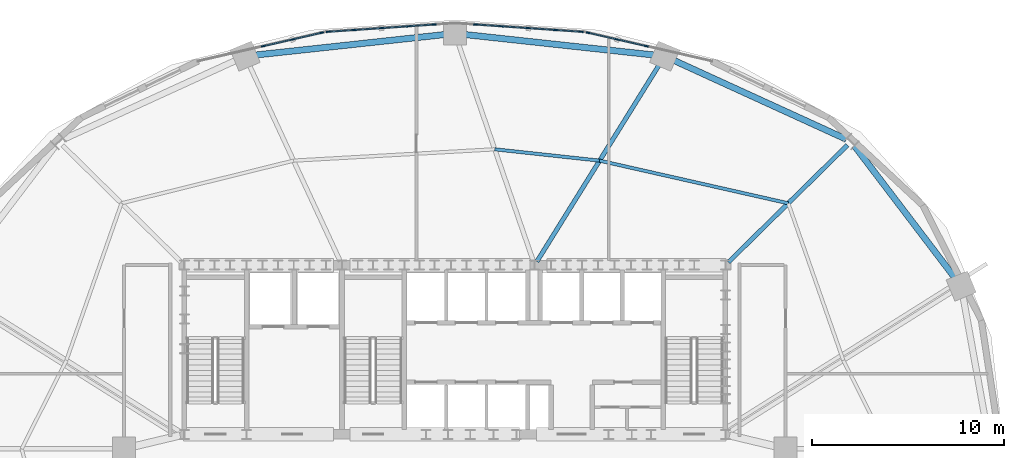
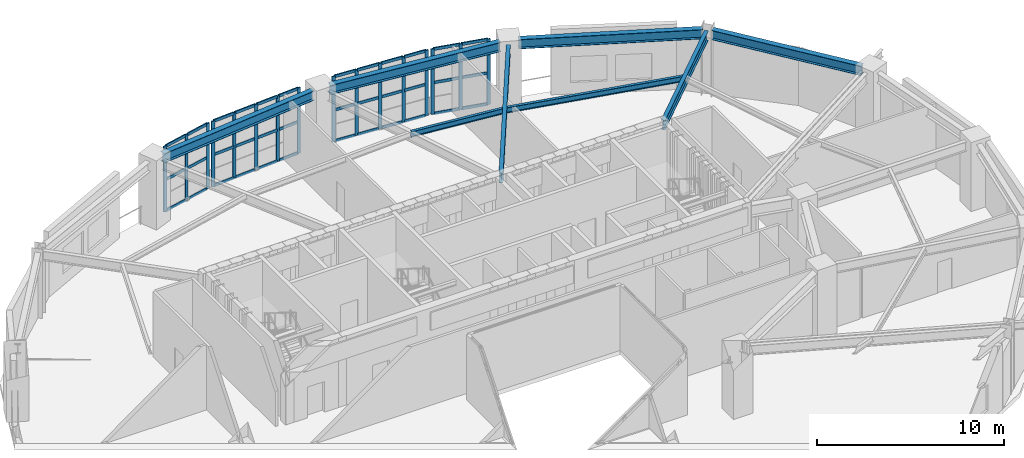
# One storey, part 7 of 15: 52 members, 8 beams, 4 elements without a shape of their own.
"""IFC4 building model written with IfcOpenShell, lengths in metres."""

from ifc_helpers import new_model, si_unit, direction, frame, origin, origin_2d, place, context, subcontext, project, spatial, rectangle, i_section, extrude, material, material_profile, profile_set, type_object, element, aggregate, save


model = new_model("IFC4")

# Units and contexts
model_context = context("Model", 3, precision=1e-05, world=origin(), true_north=direction((0.0, 1.0)))
body_context = subcontext(model_context, "Body", "Model", "MODEL_VIEW")
ifc_project = project(units=[si_unit("LENGTHUNIT", "METRE"), si_unit("AREAUNIT", "SQUARE_METRE"), si_unit("VOLUMEUNIT", "CUBIC_METRE"), si_unit("PLANEANGLEUNIT", "RADIAN"), si_unit("MASSUNIT", "GRAM", prefix="KILO")], contexts=[model_context])

# Site, building, storey
site_placement = place(None, origin())
site = spatial("IfcSite", under=ifc_project, at=site_placement, CompositionType="ELEMENT")
building_placement = place(site_placement, origin())
building = spatial("IfcBuilding", under=site, at=building_placement, Name="Haldorwick Loom Tower", CompositionType="ELEMENT")
storey_placement = place(building_placement, frame((0.0, 0.0, 105.949951171875)))
storey = spatial("IfcBuildingStorey", under=building, at=storey_placement, Name="L28", CompositionType="ELEMENT", Elevation=105.949951171875)

# Curtain wall, members
ifc_material_1 = material(Name="Thermally Broken Anodized Aluminium Curtain Wall Framing", Category="aluminium")
curtain_wall_type = type_object("IfcCurtainWallType", Name="ARC-CW-04", PredefinedType="NOTDEFINED", material=ifc_material_1)
curtain_wall_1_placement = place(storey_placement, origin())
curtain_wall_1 = element("IfcCurtainWall", 1, at=curtain_wall_1_placement, inside=storey, type_object=curtain_wall_type, Name="L28 Facade Curtain Wall CW-04 Bay 5", PredefinedType="NOTDEFINED")
ifc_material_profile_1 = material_profile(ifc_material_1, rectangle(XDim=0.072021484375, YDim=0.205078125, at=origin_2d()), Name="ALU_MUL_72X205", Category="aluminium")
ifc_profile_set_1 = profile_set([ifc_material_profile_1], Name="Thermally Broken Anodized Aluminium Curtain Wall Framing")
member_type_1 = type_object("IfcMemberType", Name="ARC-CWM-04", PredefinedType="MULLION", material=ifc_profile_set_1)
member_1_placement = place(storey_placement, frame((45.963134765625, 46.937744140625, 0.0), z_axis=(0.0, 0.0, 1.0), x_axis=(-0.22398132353, -0.974593436624, 0.0)))
member_1 = element("IfcMember", 2, at=member_1_placement, type_object=member_type_1, Name="CW-04 mullion 1", PredefinedType="MULLION", context=body_context, shape_type="SweptSolid", body=[
    extrude(rectangle(XDim=0.072021484375, YDim=0.205078125, at=origin_2d()), origin(), (0.0, 0.0, 1.0), 4.260009765625),
])
member_2_placement = place(storey_placement, frame((44.44580078125, 47.286376953125, 0.0), z_axis=(0.0, 0.0, 1.0), x_axis=(-0.22398132353, -0.974593436624, 0.0)))
member_2 = element("IfcMember", 3, at=member_2_placement, type_object=member_type_1, Name="CW-04 mullion 2", PredefinedType="MULLION", context=body_context, shape_type="SweptSolid", body=[
    extrude(rectangle(XDim=0.072021484375, YDim=0.205078125, at=origin_2d()), origin(), (0.0, 0.0, 1.0), 4.260009765625),
])
member_3_placement = place(storey_placement, frame((42.928466796875, 47.635009765625, 0.0), z_axis=(0.0, 0.0, 1.0), x_axis=(-0.22398132353, -0.974593436624, 0.0)))
member_3 = element("IfcMember", 4, at=member_3_placement, type_object=member_type_1, Name="CW-04 mullion 3", PredefinedType="MULLION", context=body_context, shape_type="SweptSolid", body=[
    extrude(rectangle(XDim=0.072021484375, YDim=0.205078125, at=origin_2d()), origin(), (0.0, 0.0, 1.0), 4.260009765625),
])

curtain_wall_2_placement = place(storey_placement, origin())
curtain_wall_2 = element("IfcCurtainWall", 5, at=curtain_wall_2_placement, inside=storey, type_object=curtain_wall_type, Name="L28 Facade Curtain Wall CW-04 Bay 6", PredefinedType="NOTDEFINED")
member_4_placement = place(storey_placement, frame((42.58154296875, 47.6865234375, 0.0), z_axis=(0.0, 0.0, 1.0), x_axis=(-0.068496055152, -0.997651387223, 0.0)))
member_4 = element("IfcMember", 6, at=member_4_placement, type_object=member_type_1, Name="CW-04 mullion 1", PredefinedType="MULLION", context=body_context, shape_type="SweptSolid", body=[
    extrude(rectangle(XDim=0.072021484375, YDim=0.205078125, at=origin_2d()), origin(), (0.0, 0.0, 1.0), 4.260009765625),
])
member_5_placement = place(storey_placement, frame((41.2216796875, 47.780029296875, 0.0), z_axis=(0.0, 0.0, 1.0), x_axis=(-0.068496055152, -0.997651387223, 0.0)))
member_5 = element("IfcMember", 7, at=member_5_placement, type_object=member_type_1, Name="CW-04 mullion 2", PredefinedType="MULLION", context=body_context, shape_type="SweptSolid", body=[
    extrude(rectangle(XDim=0.072021484375, YDim=0.205078125, at=origin_2d()), origin(), (0.0, 0.0, 1.0), 4.260009765625),
])
member_6_placement = place(storey_placement, frame((39.825927734375, 47.875732421875, 0.0), z_axis=(0.0, 0.0, 1.0), x_axis=(-0.068496055152, -0.997651387223, 0.0)))
member_6 = element("IfcMember", 8, at=member_6_placement, type_object=member_type_1, Name="CW-04 mullion 3", PredefinedType="MULLION", context=body_context, shape_type="SweptSolid", body=[
    extrude(rectangle(XDim=0.072021484375, YDim=0.205078125, at=origin_2d()), origin(), (0.0, 0.0, 1.0), 4.260009765625),
])
member_7_placement = place(storey_placement, frame((38.430419921875, 47.9716796875, 0.0), z_axis=(0.0, 0.0, 1.0), x_axis=(-0.068496055152, -0.997651387223, 0.0)))
member_7 = element("IfcMember", 9, at=member_7_placement, type_object=member_type_1, Name="CW-04 mullion 4", PredefinedType="MULLION", context=body_context, shape_type="SweptSolid", body=[
    extrude(rectangle(XDim=0.072021484375, YDim=0.205078125, at=origin_2d()), origin(), (0.0, 0.0, 1.0), 4.260009765625),
])
member_8_placement = place(storey_placement, frame((37.070556640625, 48.06494140625, 0.0), z_axis=(0.0, 0.0, 1.0), x_axis=(-0.068496055152, -0.997651387223, 0.0)))
member_8 = element("IfcMember", 10, at=member_8_placement, type_object=member_type_1, Name="CW-04 mullion 5", PredefinedType="MULLION", context=body_context, shape_type="SweptSolid", body=[
    extrude(rectangle(XDim=0.072021484375, YDim=0.205078125, at=origin_2d()), origin(), (0.0, 0.0, 1.0), 4.260009765625),
])

curtain_wall_3_placement = place(storey_placement, origin())
curtain_wall_3 = element("IfcCurtainWall", 11, at=curtain_wall_3_placement, inside=storey, type_object=curtain_wall_type, Name="L28 Facade Curtain Wall CW-04 Bay 7", PredefinedType="NOTDEFINED")
member_9_placement = place(storey_placement, frame((34.929443359375, 48.06494140625, 0.0), z_axis=(0.0, 0.0, 1.0), x_axis=(0.068496055152, -0.997651387223, 0.0)))
member_9 = element("IfcMember", 12, at=member_9_placement, type_object=member_type_1, Name="CW-04 mullion 1", PredefinedType="MULLION", context=body_context, shape_type="SweptSolid", body=[
    extrude(rectangle(XDim=0.072021484375, YDim=0.205078125, at=origin_2d()), origin(), (0.0, 0.0, 1.0), 4.260009765625),
])
member_10_placement = place(storey_placement, frame((33.569580078125, 47.9716796875, 0.0), z_axis=(0.0, 0.0, 1.0), x_axis=(0.068496055152, -0.997651387223, 0.0)))
member_10 = element("IfcMember", 13, at=member_10_placement, type_object=member_type_1, Name="CW-04 mullion 2", PredefinedType="MULLION", context=body_context, shape_type="SweptSolid", body=[
    extrude(rectangle(XDim=0.072021484375, YDim=0.205078125, at=origin_2d()), origin(), (0.0, 0.0, 1.0), 4.260009765625),
])
member_11_placement = place(storey_placement, frame((32.174072265625, 47.875732421875, 0.0), z_axis=(0.0, 0.0, 1.0), x_axis=(0.068496055152, -0.997651387223, 0.0)))
member_11 = element("IfcMember", 14, at=member_11_placement, type_object=member_type_1, Name="CW-04 mullion 3", PredefinedType="MULLION", context=body_context, shape_type="SweptSolid", body=[
    extrude(rectangle(XDim=0.072021484375, YDim=0.205078125, at=origin_2d()), origin(), (0.0, 0.0, 1.0), 4.260009765625),
])
member_12_placement = place(storey_placement, frame((30.7783203125, 47.780029296875, 0.0), z_axis=(0.0, 0.0, 1.0), x_axis=(0.068496055152, -0.997651387223, 0.0)))
member_12 = element("IfcMember", 15, at=member_12_placement, type_object=member_type_1, Name="CW-04 mullion 4", PredefinedType="MULLION", context=body_context, shape_type="SweptSolid", body=[
    extrude(rectangle(XDim=0.072021484375, YDim=0.205078125, at=origin_2d()), origin(), (0.0, 0.0, 1.0), 4.260009765625),
])
member_13_placement = place(storey_placement, frame((29.41845703125, 47.6865234375, 0.0), z_axis=(0.0, 0.0, 1.0), x_axis=(0.068496055152, -0.997651387223, 0.0)))
member_13 = element("IfcMember", 16, at=member_13_placement, type_object=member_type_1, Name="CW-04 mullion 5", PredefinedType="MULLION", context=body_context, shape_type="SweptSolid", body=[
    extrude(rectangle(XDim=0.072021484375, YDim=0.205078125, at=origin_2d()), origin(), (0.0, 0.0, 1.0), 4.260009765625),
])

curtain_wall_4_placement = place(storey_placement, origin())
curtain_wall_4 = element("IfcCurtainWall", 17, at=curtain_wall_4_placement, inside=storey, type_object=curtain_wall_type, Name="L28 Facade Curtain Wall CW-04 Bay 8", PredefinedType="NOTDEFINED")
member_14_placement = place(storey_placement, frame((29.071533203125, 47.635009765625, 0.0), z_axis=(0.0, 0.0, 1.0), x_axis=(0.22398132353, -0.974593436624, 0.0)))
member_14 = element("IfcMember", 18, at=member_14_placement, type_object=member_type_1, Name="CW-04 mullion 1", PredefinedType="MULLION", context=body_context, shape_type="SweptSolid", body=[
    extrude(rectangle(XDim=0.072021484375, YDim=0.205078125, at=origin_2d()), origin(), (0.0, 0.0, 1.0), 4.260009765625),
])
member_15_placement = place(storey_placement, frame((27.55419921875, 47.286376953125, 0.0), z_axis=(0.0, 0.0, 1.0), x_axis=(0.22398132353, -0.974593436624, 0.0)))
member_15 = element("IfcMember", 19, at=member_15_placement, type_object=member_type_1, Name="CW-04 mullion 2", PredefinedType="MULLION", context=body_context, shape_type="SweptSolid", body=[
    extrude(rectangle(XDim=0.072021484375, YDim=0.205078125, at=origin_2d()), origin(), (0.0, 0.0, 1.0), 4.260009765625),
])
member_16_placement = place(storey_placement, frame((26.036865234375, 46.937744140625, 0.0), z_axis=(0.0, 0.0, 1.0), x_axis=(0.22398132353, -0.974593436624, 0.0)))
member_16 = element("IfcMember", 20, at=member_16_placement, type_object=member_type_1, Name="CW-04 mullion 3", PredefinedType="MULLION", context=body_context, shape_type="SweptSolid", body=[
    extrude(rectangle(XDim=0.072021484375, YDim=0.205078125, at=origin_2d()), origin(), (0.0, 0.0, 1.0), 4.260009765625),
])

# Member
ifc_material_profile_2 = material_profile(ifc_material_1, rectangle(XDim=0.072021484375, YDim=0.18505859375, at=origin_2d()), Name="ALU_TRN_72X185", Category="aluminium")
ifc_profile_set_2 = profile_set([ifc_material_profile_2], Name="Thermally Broken Anodized Aluminium Curtain Wall Framing")
member_type_2 = type_object("IfcMemberType", Name="ARC-CWT-04", PredefinedType="USERDEFINED", material=ifc_profile_set_2)
member_17_placement = place(storey_placement, frame((45.927978515625, 46.94580078125, 0.0361328125), z_axis=(-0.974598631019, 0.223958720339, 0.0), x_axis=(-0.223958720339, -0.974598631019, 0.0)))
member_17 = element("IfcMember", 21, at=member_17_placement, type_object=member_type_2, Name="CW-04 transom 1.1", ObjectType="TRANSOM", PredefinedType="USERDEFINED", context=body_context, shape_type="SweptSolid", body=[
    extrude(rectangle(XDim=0.072021484375, YDim=0.18505859375, at=origin_2d()), origin(), (0.0, 0.0, 1.0), 1.484619140625),
])

member_18_placement = place(storey_placement, frame((45.927978515625, 46.94580078125, 2.050048828125), z_axis=(-0.974598631019, 0.223958720339, 0.0), x_axis=(-0.223958720339, -0.974598631019, 0.0)))
member_18 = element("IfcMember", 22, at=member_18_placement, type_object=member_type_2, Name="CW-04 transom 1.2", ObjectType="TRANSOM", PredefinedType="USERDEFINED", context=body_context, shape_type="SweptSolid", body=[
    extrude(rectangle(XDim=0.072021484375, YDim=0.18505859375, at=origin_2d()), origin(), (0.0, 0.0, 1.0), 1.484619140625),
])

member_19_placement = place(storey_placement, frame((45.927978515625, 46.94580078125, 4.22412109375), z_axis=(-0.974598631019, 0.223958720339, 0.0), x_axis=(-0.223958720339, -0.974598631019, 0.0)))
member_19 = element("IfcMember", 23, at=member_19_placement, type_object=member_type_2, Name="CW-04 transom 1.3", ObjectType="TRANSOM", PredefinedType="USERDEFINED", context=body_context, shape_type="SweptSolid", body=[
    extrude(rectangle(XDim=0.072021484375, YDim=0.18505859375, at=origin_2d()), origin(), (0.0, 0.0, 1.0), 1.484619140625),
])

member_20_placement = place(storey_placement, frame((44.41064453125, 47.29443359375, 0.0361328125), z_axis=(-0.974598631019, 0.223958720339, 0.0), x_axis=(-0.223958720339, -0.974598631019, 0.0)))
member_20 = element("IfcMember", 24, at=member_20_placement, type_object=member_type_2, Name="CW-04 transom 2.1", ObjectType="TRANSOM", PredefinedType="USERDEFINED", context=body_context, shape_type="SweptSolid", body=[
    extrude(rectangle(XDim=0.072021484375, YDim=0.18505859375, at=origin_2d()), origin(), (0.0, 0.0, 1.0), 1.484619140625),
])

member_21_placement = place(storey_placement, frame((44.41064453125, 47.29443359375, 2.050048828125), z_axis=(-0.974598631019, 0.223958720339, 0.0), x_axis=(-0.223958720339, -0.974598631019, 0.0)))
member_21 = element("IfcMember", 25, at=member_21_placement, type_object=member_type_2, Name="CW-04 transom 2.2", ObjectType="TRANSOM", PredefinedType="USERDEFINED", context=body_context, shape_type="SweptSolid", body=[
    extrude(rectangle(XDim=0.072021484375, YDim=0.18505859375, at=origin_2d()), origin(), (0.0, 0.0, 1.0), 1.484619140625),
])

member_22_placement = place(storey_placement, frame((44.41064453125, 47.29443359375, 4.22412109375), z_axis=(-0.974598631019, 0.223958720339, 0.0), x_axis=(-0.223958720339, -0.974598631019, 0.0)))
member_22 = element("IfcMember", 26, at=member_22_placement, type_object=member_type_2, Name="CW-04 transom 2.3", ObjectType="TRANSOM", PredefinedType="USERDEFINED", context=body_context, shape_type="SweptSolid", body=[
    extrude(rectangle(XDim=0.072021484375, YDim=0.18505859375, at=origin_2d()), origin(), (0.0, 0.0, 1.0), 1.484619140625),
])

aggregate(curtain_wall_1, [member_1, member_2, member_3, member_17, member_18, member_19, member_20, member_21, member_22])

member_23_placement = place(storey_placement, frame((42.545654296875, 47.68896484375, 0.0361328125), z_axis=(-0.997654434968, 0.068451650011, 0.0), x_axis=(-0.068451650011, -0.997654434968, 0.0)))
member_23 = element("IfcMember", 27, at=member_23_placement, type_object=member_type_2, Name="CW-04 transom 1.1", ObjectType="TRANSOM", PredefinedType="USERDEFINED", context=body_context, shape_type="SweptSolid", body=[
    extrude(rectangle(XDim=0.072021484375, YDim=0.18505859375, at=origin_2d()), origin(), (0.0, 0.0, 1.0), 1.291015625),
])

member_24_placement = place(storey_placement, frame((42.545654296875, 47.68896484375, 2.050048828125), z_axis=(-0.997654434968, 0.068451650011, 0.0), x_axis=(-0.068451650011, -0.997654434968, 0.0)))
member_24 = element("IfcMember", 28, at=member_24_placement, type_object=member_type_2, Name="CW-04 transom 1.2", ObjectType="TRANSOM", PredefinedType="USERDEFINED", context=body_context, shape_type="SweptSolid", body=[
    extrude(rectangle(XDim=0.072021484375, YDim=0.18505859375, at=origin_2d()), origin(), (0.0, 0.0, 1.0), 1.291015625),
])

member_25_placement = place(storey_placement, frame((42.545654296875, 47.68896484375, 4.22412109375), z_axis=(-0.997654434968, 0.068451650011, 0.0), x_axis=(-0.068451650011, -0.997654434968, 0.0)))
member_25 = element("IfcMember", 29, at=member_25_placement, type_object=member_type_2, Name="CW-04 transom 1.3", ObjectType="TRANSOM", PredefinedType="USERDEFINED", context=body_context, shape_type="SweptSolid", body=[
    extrude(rectangle(XDim=0.072021484375, YDim=0.18505859375, at=origin_2d()), origin(), (0.0, 0.0, 1.0), 1.291015625),
])

member_26_placement = place(storey_placement, frame((41.185791015625, 47.782470703125, 0.0361328125), z_axis=(-0.997655515919, 0.068435893771, 0.0), x_axis=(-0.068435893771, -0.997655515919, 0.0)))
member_26 = element("IfcMember", 30, at=member_26_placement, type_object=member_type_2, Name="CW-04 transom 2.1", ObjectType="TRANSOM", PredefinedType="USERDEFINED", context=body_context, shape_type="SweptSolid", body=[
    extrude(rectangle(XDim=0.072021484375, YDim=0.18505859375, at=origin_2d()), origin(), (0.0, 0.0, 1.0), 1.3271484375),
])

member_27_placement = place(storey_placement, frame((41.185791015625, 47.782470703125, 2.050048828125), z_axis=(-0.997655515919, 0.068435893771, 0.0), x_axis=(-0.068435893771, -0.997655515919, 0.0)))
member_27 = element("IfcMember", 31, at=member_27_placement, type_object=member_type_2, Name="CW-04 transom 2.2", ObjectType="TRANSOM", PredefinedType="USERDEFINED", context=body_context, shape_type="SweptSolid", body=[
    extrude(rectangle(XDim=0.072021484375, YDim=0.18505859375, at=origin_2d()), origin(), (0.0, 0.0, 1.0), 1.3271484375),
])

member_28_placement = place(storey_placement, frame((41.185791015625, 47.782470703125, 4.22412109375), z_axis=(-0.997655515919, 0.068435893771, 0.0), x_axis=(-0.068435893771, -0.997655515919, 0.0)))
member_28 = element("IfcMember", 32, at=member_28_placement, type_object=member_type_2, Name="CW-04 transom 2.3", ObjectType="TRANSOM", PredefinedType="USERDEFINED", context=body_context, shape_type="SweptSolid", body=[
    extrude(rectangle(XDim=0.072021484375, YDim=0.18505859375, at=origin_2d()), origin(), (0.0, 0.0, 1.0), 1.3271484375),
])

member_29_placement = place(storey_placement, frame((39.7900390625, 47.878173828125, 0.0361328125), z_axis=(-0.997654654075, 0.068448456532, 0.0), x_axis=(-0.068448456532, -0.997654654075, 0.0)))
member_29 = element("IfcMember", 33, at=member_29_placement, type_object=member_type_2, Name="CW-04 transom 3.1", ObjectType="TRANSOM", PredefinedType="USERDEFINED", context=body_context, shape_type="SweptSolid", body=[
    extrude(rectangle(XDim=0.072021484375, YDim=0.18505859375, at=origin_2d()), origin(), (0.0, 0.0, 1.0), 1.326904296875),
])

member_30_placement = place(storey_placement, frame((39.7900390625, 47.878173828125, 2.050048828125), z_axis=(-0.997654654075, 0.068448456532, 0.0), x_axis=(-0.068448456532, -0.997654654075, 0.0)))
member_30 = element("IfcMember", 34, at=member_30_placement, type_object=member_type_2, Name="CW-04 transom 3.2", ObjectType="TRANSOM", PredefinedType="USERDEFINED", context=body_context, shape_type="SweptSolid", body=[
    extrude(rectangle(XDim=0.072021484375, YDim=0.18505859375, at=origin_2d()), origin(), (0.0, 0.0, 1.0), 1.326904296875),
])

member_31_placement = place(storey_placement, frame((39.7900390625, 47.878173828125, 4.22412109375), z_axis=(-0.997654654075, 0.068448456532, 0.0), x_axis=(-0.068448456532, -0.997654654075, 0.0)))
member_31 = element("IfcMember", 35, at=member_31_placement, type_object=member_type_2, Name="CW-04 transom 3.3", ObjectType="TRANSOM", PredefinedType="USERDEFINED", context=body_context, shape_type="SweptSolid", body=[
    extrude(rectangle(XDim=0.072021484375, YDim=0.18505859375, at=origin_2d()), origin(), (0.0, 0.0, 1.0), 1.326904296875),
])

member_32_placement = place(storey_placement, frame((38.394287109375, 47.97412109375, 0.0361328125), z_axis=(-0.997653548698, 0.068464565806, 0.0), x_axis=(-0.068464565806, -0.997653548698, 0.0)))
member_32 = element("IfcMember", 36, at=member_32_placement, type_object=member_type_2, Name="CW-04 transom 4.1", ObjectType="TRANSOM", PredefinedType="USERDEFINED", context=body_context, shape_type="SweptSolid", body=[
    extrude(rectangle(XDim=0.072021484375, YDim=0.18505859375, at=origin_2d()), origin(), (0.0, 0.0, 1.0), 1.290771484375),
])

member_33_placement = place(storey_placement, frame((38.394287109375, 47.97412109375, 2.050048828125), z_axis=(-0.997653548698, 0.068464565806, 0.0), x_axis=(-0.068464565806, -0.997653548698, 0.0)))
member_33 = element("IfcMember", 37, at=member_33_placement, type_object=member_type_2, Name="CW-04 transom 4.2", ObjectType="TRANSOM", PredefinedType="USERDEFINED", context=body_context, shape_type="SweptSolid", body=[
    extrude(rectangle(XDim=0.072021484375, YDim=0.18505859375, at=origin_2d()), origin(), (0.0, 0.0, 1.0), 1.290771484375),
])

member_34_placement = place(storey_placement, frame((38.394287109375, 47.97412109375, 4.22412109375), z_axis=(-0.997653548698, 0.068464565806, 0.0), x_axis=(-0.068464565806, -0.997653548698, 0.0)))
member_34 = element("IfcMember", 38, at=member_34_placement, type_object=member_type_2, Name="CW-04 transom 4.3", ObjectType="TRANSOM", PredefinedType="USERDEFINED", context=body_context, shape_type="SweptSolid", body=[
    extrude(rectangle(XDim=0.072021484375, YDim=0.18505859375, at=origin_2d()), origin(), (0.0, 0.0, 1.0), 1.290771484375),
])

aggregate(curtain_wall_2, [member_4, member_5, member_6, member_7, member_8, member_23, member_24, member_25, member_26, member_27, member_28, member_29, member_30, member_31, member_32, member_33, member_34])

member_35_placement = place(storey_placement, frame((34.8935546875, 48.0625, 0.0361328125), z_axis=(-0.997653548698, -0.068464565806, 0.0), x_axis=(0.068464565806, -0.997653548698, 0.0)))
member_35 = element("IfcMember", 39, at=member_35_placement, type_object=member_type_2, Name="CW-04 transom 1.1", ObjectType="TRANSOM", PredefinedType="USERDEFINED", context=body_context, shape_type="SweptSolid", body=[
    extrude(rectangle(XDim=0.072021484375, YDim=0.18505859375, at=origin_2d()), origin(), (0.0, 0.0, 1.0), 1.290771484375),
])

member_36_placement = place(storey_placement, frame((34.8935546875, 48.0625, 2.050048828125), z_axis=(-0.997653548698, -0.068464565806, 0.0), x_axis=(0.068464565806, -0.997653548698, 0.0)))
member_36 = element("IfcMember", 40, at=member_36_placement, type_object=member_type_2, Name="CW-04 transom 1.2", ObjectType="TRANSOM", PredefinedType="USERDEFINED", context=body_context, shape_type="SweptSolid", body=[
    extrude(rectangle(XDim=0.072021484375, YDim=0.18505859375, at=origin_2d()), origin(), (0.0, 0.0, 1.0), 1.290771484375),
])

member_37_placement = place(storey_placement, frame((34.8935546875, 48.0625, 4.22412109375), z_axis=(-0.997653548698, -0.068464565806, 0.0), x_axis=(0.068464565806, -0.997653548698, 0.0)))
member_37 = element("IfcMember", 41, at=member_37_placement, type_object=member_type_2, Name="CW-04 transom 1.3", ObjectType="TRANSOM", PredefinedType="USERDEFINED", context=body_context, shape_type="SweptSolid", body=[
    extrude(rectangle(XDim=0.072021484375, YDim=0.18505859375, at=origin_2d()), origin(), (0.0, 0.0, 1.0), 1.290771484375),
])

member_38_placement = place(storey_placement, frame((33.53369140625, 47.968994140625, 0.0361328125), z_axis=(-0.997654654075, -0.068448456532, 0.0), x_axis=(0.068448456532, -0.997654654075, 0.0)))
member_38 = element("IfcMember", 42, at=member_38_placement, type_object=member_type_2, Name="CW-04 transom 2.1", ObjectType="TRANSOM", PredefinedType="USERDEFINED", context=body_context, shape_type="SweptSolid", body=[
    extrude(rectangle(XDim=0.072021484375, YDim=0.18505859375, at=origin_2d()), origin(), (0.0, 0.0, 1.0), 1.326904296875),
])

member_39_placement = place(storey_placement, frame((33.53369140625, 47.968994140625, 2.050048828125), z_axis=(-0.997654654075, -0.068448456532, 0.0), x_axis=(0.068448456532, -0.997654654075, 0.0)))
member_39 = element("IfcMember", 43, at=member_39_placement, type_object=member_type_2, Name="CW-04 transom 2.2", ObjectType="TRANSOM", PredefinedType="USERDEFINED", context=body_context, shape_type="SweptSolid", body=[
    extrude(rectangle(XDim=0.072021484375, YDim=0.18505859375, at=origin_2d()), origin(), (0.0, 0.0, 1.0), 1.326904296875),
])

member_40_placement = place(storey_placement, frame((33.53369140625, 47.968994140625, 4.22412109375), z_axis=(-0.997654654075, -0.068448456532, 0.0), x_axis=(0.068448456532, -0.997654654075, 0.0)))
member_40 = element("IfcMember", 44, at=member_40_placement, type_object=member_type_2, Name="CW-04 transom 2.3", ObjectType="TRANSOM", PredefinedType="USERDEFINED", context=body_context, shape_type="SweptSolid", body=[
    extrude(rectangle(XDim=0.072021484375, YDim=0.18505859375, at=origin_2d()), origin(), (0.0, 0.0, 1.0), 1.326904296875),
])

member_41_placement = place(storey_placement, frame((32.13818359375, 47.873291015625, 0.0361328125), z_axis=(-0.997655515919, -0.068435893771, 0.0), x_axis=(0.068435893771, -0.997655515919, 0.0)))
member_41 = element("IfcMember", 45, at=member_41_placement, type_object=member_type_2, Name="CW-04 transom 3.1", ObjectType="TRANSOM", PredefinedType="USERDEFINED", context=body_context, shape_type="SweptSolid", body=[
    extrude(rectangle(XDim=0.072021484375, YDim=0.18505859375, at=origin_2d()), origin(), (0.0, 0.0, 1.0), 1.3271484375),
])

member_42_placement = place(storey_placement, frame((32.13818359375, 47.873291015625, 2.050048828125), z_axis=(-0.997655515919, -0.068435893771, 0.0), x_axis=(0.068435893771, -0.997655515919, 0.0)))
member_42 = element("IfcMember", 46, at=member_42_placement, type_object=member_type_2, Name="CW-04 transom 3.2", ObjectType="TRANSOM", PredefinedType="USERDEFINED", context=body_context, shape_type="SweptSolid", body=[
    extrude(rectangle(XDim=0.072021484375, YDim=0.18505859375, at=origin_2d()), origin(), (0.0, 0.0, 1.0), 1.3271484375),
])

member_43_placement = place(storey_placement, frame((32.13818359375, 47.873291015625, 4.22412109375), z_axis=(-0.997655515919, -0.068435893771, 0.0), x_axis=(0.068435893771, -0.997655515919, 0.0)))
member_43 = element("IfcMember", 47, at=member_43_placement, type_object=member_type_2, Name="CW-04 transom 3.3", ObjectType="TRANSOM", PredefinedType="USERDEFINED", context=body_context, shape_type="SweptSolid", body=[
    extrude(rectangle(XDim=0.072021484375, YDim=0.18505859375, at=origin_2d()), origin(), (0.0, 0.0, 1.0), 1.3271484375),
])

member_44_placement = place(storey_placement, frame((30.742431640625, 47.77734375, 0.0361328125), z_axis=(-0.997654434968, -0.068451650011, 0.0), x_axis=(0.068451650011, -0.997654434968, 0.0)))
member_44 = element("IfcMember", 48, at=member_44_placement, type_object=member_type_2, Name="CW-04 transom 4.1", ObjectType="TRANSOM", PredefinedType="USERDEFINED", context=body_context, shape_type="SweptSolid", body=[
    extrude(rectangle(XDim=0.072021484375, YDim=0.18505859375, at=origin_2d()), origin(), (0.0, 0.0, 1.0), 1.291015625),
])

member_45_placement = place(storey_placement, frame((30.742431640625, 47.77734375, 2.050048828125), z_axis=(-0.997654434968, -0.068451650011, 0.0), x_axis=(0.068451650011, -0.997654434968, 0.0)))
member_45 = element("IfcMember", 49, at=member_45_placement, type_object=member_type_2, Name="CW-04 transom 4.2", ObjectType="TRANSOM", PredefinedType="USERDEFINED", context=body_context, shape_type="SweptSolid", body=[
    extrude(rectangle(XDim=0.072021484375, YDim=0.18505859375, at=origin_2d()), origin(), (0.0, 0.0, 1.0), 1.291015625),
])

member_46_placement = place(storey_placement, frame((30.742431640625, 47.77734375, 4.22412109375), z_axis=(-0.997654434968, -0.068451650011, 0.0), x_axis=(0.068451650011, -0.997654434968, 0.0)))
member_46 = element("IfcMember", 50, at=member_46_placement, type_object=member_type_2, Name="CW-04 transom 4.3", ObjectType="TRANSOM", PredefinedType="USERDEFINED", context=body_context, shape_type="SweptSolid", body=[
    extrude(rectangle(XDim=0.072021484375, YDim=0.18505859375, at=origin_2d()), origin(), (0.0, 0.0, 1.0), 1.291015625),
])

aggregate(curtain_wall_3, [member_9, member_10, member_11, member_12, member_13, member_35, member_36, member_37, member_38, member_39, member_40, member_41, member_42, member_43, member_44, member_45, member_46])

member_47_placement = place(storey_placement, frame((29.036376953125, 47.626953125, 0.0361328125), z_axis=(-0.974598631019, -0.223958720339, 0.0), x_axis=(0.223958720339, -0.974598631019, 0.0)))
member_47 = element("IfcMember", 51, at=member_47_placement, type_object=member_type_2, Name="CW-04 transom 1.1", ObjectType="TRANSOM", PredefinedType="USERDEFINED", context=body_context, shape_type="SweptSolid", body=[
    extrude(rectangle(XDim=0.072021484375, YDim=0.18505859375, at=origin_2d()), origin(), (0.0, 0.0, 1.0), 1.484619140625),
])

member_48_placement = place(storey_placement, frame((29.036376953125, 47.626953125, 2.050048828125), z_axis=(-0.974598631019, -0.223958720339, 0.0), x_axis=(0.223958720339, -0.974598631019, 0.0)))
member_48 = element("IfcMember", 52, at=member_48_placement, type_object=member_type_2, Name="CW-04 transom 1.2", ObjectType="TRANSOM", PredefinedType="USERDEFINED", context=body_context, shape_type="SweptSolid", body=[
    extrude(rectangle(XDim=0.072021484375, YDim=0.18505859375, at=origin_2d()), origin(), (0.0, 0.0, 1.0), 1.484619140625),
])

member_49_placement = place(storey_placement, frame((29.036376953125, 47.626953125, 4.22412109375), z_axis=(-0.974598631019, -0.223958720339, 0.0), x_axis=(0.223958720339, -0.974598631019, 0.0)))
member_49 = element("IfcMember", 53, at=member_49_placement, type_object=member_type_2, Name="CW-04 transom 1.3", ObjectType="TRANSOM", PredefinedType="USERDEFINED", context=body_context, shape_type="SweptSolid", body=[
    extrude(rectangle(XDim=0.072021484375, YDim=0.18505859375, at=origin_2d()), origin(), (0.0, 0.0, 1.0), 1.484619140625),
])

member_50_placement = place(storey_placement, frame((27.51904296875, 47.2783203125, 0.0361328125), z_axis=(-0.974598631019, -0.223958720339, 0.0), x_axis=(0.223958720339, -0.974598631019, 0.0)))
member_50 = element("IfcMember", 54, at=member_50_placement, type_object=member_type_2, Name="CW-04 transom 2.1", ObjectType="TRANSOM", PredefinedType="USERDEFINED", context=body_context, shape_type="SweptSolid", body=[
    extrude(rectangle(XDim=0.072021484375, YDim=0.18505859375, at=origin_2d()), origin(), (0.0, 0.0, 1.0), 1.484619140625),
])

member_51_placement = place(storey_placement, frame((27.51904296875, 47.2783203125, 2.050048828125), z_axis=(-0.974598631019, -0.223958720339, 0.0), x_axis=(0.223958720339, -0.974598631019, 0.0)))
member_51 = element("IfcMember", 55, at=member_51_placement, type_object=member_type_2, Name="CW-04 transom 2.2", ObjectType="TRANSOM", PredefinedType="USERDEFINED", context=body_context, shape_type="SweptSolid", body=[
    extrude(rectangle(XDim=0.072021484375, YDim=0.18505859375, at=origin_2d()), origin(), (0.0, 0.0, 1.0), 1.484619140625),
])

member_52_placement = place(storey_placement, frame((27.51904296875, 47.2783203125, 4.22412109375), z_axis=(-0.974598631019, -0.223958720339, 0.0), x_axis=(0.223958720339, -0.974598631019, 0.0)))
member_52 = element("IfcMember", 56, at=member_52_placement, type_object=member_type_2, Name="CW-04 transom 2.3", ObjectType="TRANSOM", PredefinedType="USERDEFINED", context=body_context, shape_type="SweptSolid", body=[
    extrude(rectangle(XDim=0.072021484375, YDim=0.18505859375, at=origin_2d()), origin(), (0.0, 0.0, 1.0), 1.484619140625),
])

aggregate(curtain_wall_4, [member_14, member_15, member_16, member_47, member_48, member_49, member_50, member_51, member_52])

# Beams
ifc_material_2 = material(Name="Steel CSA G40.21 350W", Category="steel")
ifc_material_profile_3 = material_profile(ifc_material_2, i_section(OverallWidth=0.172119140625, OverallDepth=0.35791015625, WebThickness=0.0078125, FlangeThickness=0.01318359375, at=origin_2d()), Name="W360X57", Category="steel")
ifc_profile_set_3 = profile_set([ifc_material_profile_3], Name="Steel CSA G40.21 350W")
beam_type_1 = type_object("IfcBeamType", Name="STR-BM-J360", PredefinedType="JOIST", material=ifc_profile_set_3)
beam_1_placement = place(storey_placement, frame((53.33837890625, 38.765869140625, 4.0810546875), z_axis=(-0.975380231772, 0.22052982444, 0.0), x_axis=(-0.22052982444, -0.975380231772, 0.0)))
element("IfcBeam", 57, at=beam_1_placement, inside=storey, type_object=beam_type_1, Name="L28 Mid-Bay Secondary Joist 3", PredefinedType="JOIST", context=body_context, shape_type="SweptSolid", body=[
    extrude(i_section(OverallWidth=0.172119140625, OverallDepth=0.35791015625, WebThickness=0.0078125, FlangeThickness=0.01318359375, at=origin_2d()), origin(), (0.0, 0.0, 1.0), 10.0576171875),
])
beam_2_placement = place(storey_placement, frame((43.5283203125, 40.98388671875, 4.0810546875), z_axis=(-0.994191869342, 0.107622148904, 0.0), x_axis=(-0.107622148904, -0.994191869342, 0.0)))
element("IfcBeam", 58, at=beam_2_placement, inside=storey, type_object=beam_type_1, Name="L28 Mid-Bay Secondary Joist 4", PredefinedType="JOIST", context=body_context, shape_type="SweptSolid", body=[
    extrude(i_section(OverallWidth=0.172119140625, OverallDepth=0.35791015625, WebThickness=0.0078125, FlangeThickness=0.01318359375, at=origin_2d()), origin(), (0.0, 0.0, 1.0), 5.485107421875),
])
ifc_material_profile_4 = material_profile(ifc_material_2, i_section(OverallWidth=0.324951171875, OverallDepth=0.615966796875, WebThickness=0.013916015625, FlangeThickness=0.021484375, at=origin_2d()), Name="W610X174", Category="steel")
ifc_profile_set_4 = profile_set([ifc_material_profile_4], Name="Steel CSA G40.21 350W")
beam_type_2 = type_object("IfcBeamType", Name="STR-BM-SP610", PredefinedType="SPANDREL", material=ifc_profile_set_4)
beam_3_placement = place(storey_placement, frame((62.015869140625, 34.87109375, 3.9521484375), z_axis=(-0.605453508047, 0.795880675475, 0.0), x_axis=(-0.795880675475, -0.605453508047, 0.0)))
element("IfcBeam", 59, at=beam_3_placement, inside=storey, type_object=beam_type_2, Name="L28 Perimeter Spandrel 2", PredefinedType="SPANDREL", context=body_context, shape_type="SweptSolid", body=[
    extrude(i_section(OverallWidth=0.324951171875, OverallDepth=0.615966796875, WebThickness=0.013916015625, FlangeThickness=0.021484375, at=origin_2d()), origin(), (0.0, 0.0, 1.0), 8.6591796875),
])
beam_4_placement = place(storey_placement, frame((56.356689453125, 42.09619140625, 3.9521484375), z_axis=(-0.909423969306, 0.415870225011, 0.0), x_axis=(-0.415870225011, -0.909423969306, 0.0)))
element("IfcBeam", 60, at=beam_4_placement, inside=storey, type_object=beam_type_2, Name="L28 Perimeter Spandrel 3", PredefinedType="SPANDREL", context=body_context, shape_type="SweptSolid", body=[
    extrude(i_section(OverallWidth=0.324951171875, OverallDepth=0.615966796875, WebThickness=0.013916015625, FlangeThickness=0.021484375, at=origin_2d()), origin(), (0.0, 0.0, 1.0), 9.871337890625),
])
for number, where, z_axis, x_axis, name in (
    (61, (46.389404296875, 46.4736328125, 3.9521484375), (-0.994190135627, 0.107638163409, 0.0), (-0.107638163409, -0.994190135627, 0.0), "L28 Perimeter Spandrel 4"),
    (62, (35.48291015625, 47.54248046875, 3.9521484375), (-0.994190135627, -0.107638163409, 0.0), (0.107638163409, -0.994190135627, 0.0), "L28 Perimeter Spandrel 5"),
):
    element("IfcBeam", number, at=place(storey_placement, frame(where, z_axis=z_axis, x_axis=x_axis)), inside=storey, type_object=beam_type_2, Name=name, PredefinedType="SPANDREL", context=body_context, shape_type="SweptSolid", body=[
        extrude(i_section(OverallWidth=0.324951171875, OverallDepth=0.615966796875, WebThickness=0.013916015625, FlangeThickness=0.021484375, at=origin_2d()), origin(), (0.0, 0.0, 1.0), 9.929931640625),
    ])
ifc_material_profile_5 = material_profile(ifc_material_2, i_section(OverallWidth=0.22998046875, OverallDepth=0.616943359375, WebThickness=0.01318359375, FlangeThickness=0.022216796875, at=origin_2d()), Name="W610X140", Category="steel")
ifc_profile_set_5 = profile_set([ifc_material_profile_5], Name="Steel CSA G40.21 350W")
beam_type_3 = type_object("IfcBeamType", Name="STR-BM-W610B", PredefinedType="BEAM", material=ifc_profile_set_5)
beam_5_placement = place(storey_placement, frame((50.23046875, 35.707763671875, 3.95166015625), z_axis=(0.712813667541, 0.701353459653, 0.0), x_axis=(-0.701353459653, 0.712813667541, 0.0)))
element("IfcBeam", 63, at=beam_5_placement, inside=storey, type_object=beam_type_3, Name="L28 Radial Floor Girder 3", PredefinedType="BEAM", context=body_context, shape_type="SweptSolid", body=[
    extrude(i_section(OverallWidth=0.22998046875, OverallDepth=0.616943359375, WebThickness=0.01318359375, FlangeThickness=0.022216796875, at=origin_2d()), origin(), (0.0, 0.0, 1.0), 8.67041015625),
])
beam_6_placement = place(storey_placement, frame((40.268798828125, 35.7412109375, 3.95166015625), z_axis=(0.527983484361, 0.849254638046, 0.0), x_axis=(-0.849254638046, 0.527983484361, 0.0)))
element("IfcBeam", 64, at=beam_6_placement, inside=storey, type_object=beam_type_3, Name="L28 Radial Floor Girder 4", PredefinedType="BEAM", context=body_context, shape_type="SweptSolid", body=[
    extrude(i_section(OverallWidth=0.22998046875, OverallDepth=0.616943359375, WebThickness=0.01318359375, FlangeThickness=0.022216796875, at=origin_2d()), origin(), (0.0, 0.0, 1.0), 12.051513671875),
])

save(model, "model.ifc")
